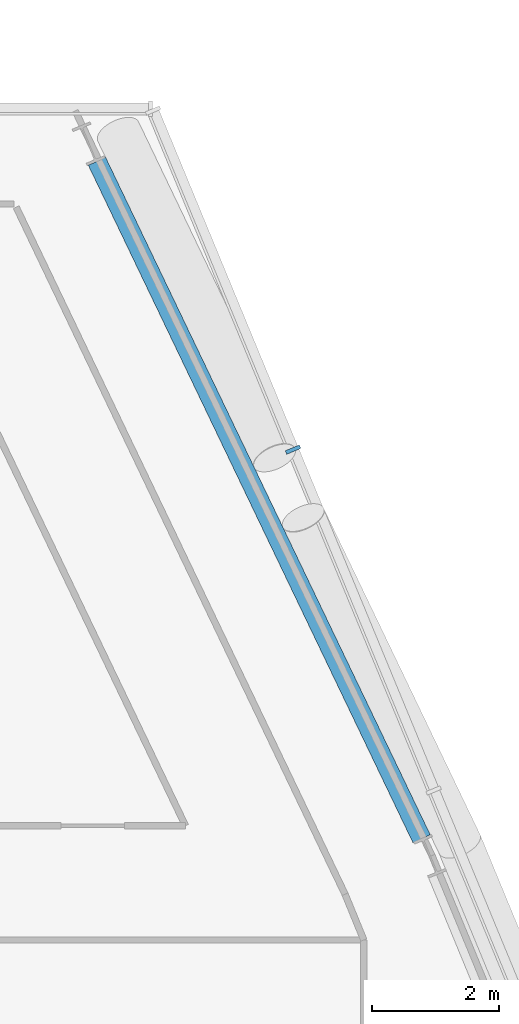
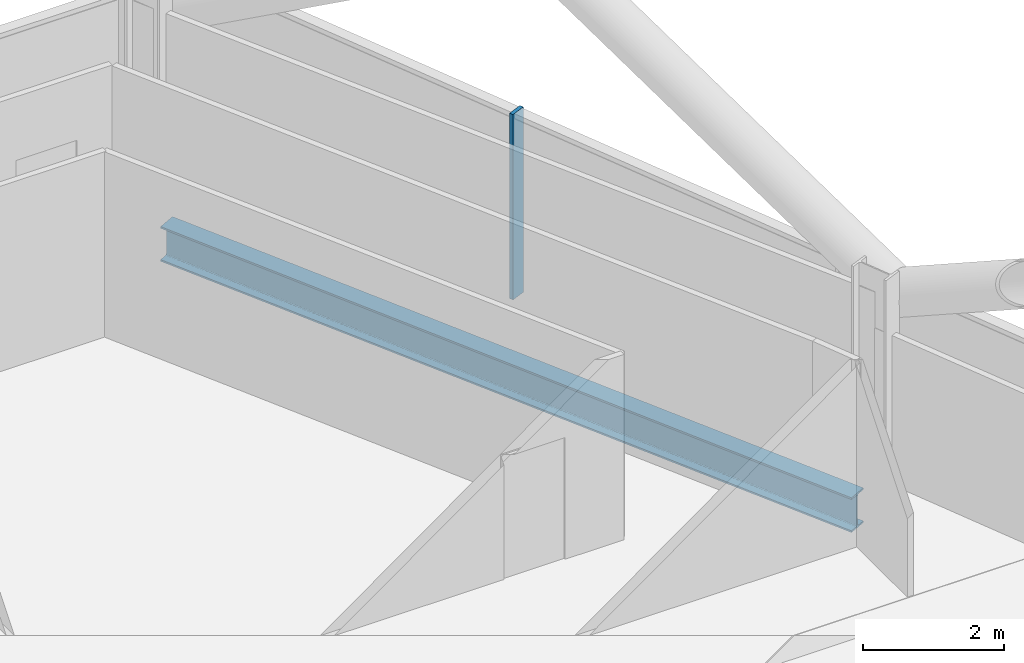
# One storey, part 12 of 27: 1 beam, 1 member, 1 element without a shape of its own.
"""IFC4 building model written with IfcOpenShell, lengths in metres."""

from ifc_helpers import new_model, si_unit, direction, frame, origin, origin_2d, place, context, subcontext, project, spatial, rectangle, i_section, extrude, material, material_profile, profile_set, type_object, element, aggregate, save


model = new_model("IFC4")

# Units and contexts
model_context = context("Model", 3, precision=1e-05, world=origin(), true_north=direction((0.0, 1.0)))
body_context = subcontext(model_context, "Body", "Model", "MODEL_VIEW")
ifc_project = project(units=[si_unit("LENGTHUNIT", "METRE"), si_unit("AREAUNIT", "SQUARE_METRE"), si_unit("VOLUMEUNIT", "CUBIC_METRE"), si_unit("PLANEANGLEUNIT", "RADIAN"), si_unit("MASSUNIT", "GRAM", prefix="KILO")], contexts=[model_context])

# Site, building, storey
site_placement = place(None, origin())
site = spatial("IfcSite", under=ifc_project, at=site_placement, CompositionType="ELEMENT")
building_placement = place(site_placement, origin())
building = spatial("IfcBuilding", under=site, at=building_placement, Name="Wharfspan Tower", CompositionType="ELEMENT")
storey_placement = place(building_placement, frame((0.0, 0.0, 191.5)))
storey = spatial("IfcBuildingStorey", under=building, at=storey_placement, Name="L47", CompositionType="ELEMENT", Elevation=191.5)

# Beam
ifc_material_1 = material(Name="Steel S355J2", Category="steel")
ifc_material_profile_1 = material_profile(ifc_material_1, i_section(OverallWidth=0.300049, OverallDepth=0.600098, WebThickness=0.015381, FlangeThickness=0.030029, FilletRadius=0.0271, at=origin_2d()))
ifc_profile_set_1 = profile_set([ifc_material_profile_1], Name="Steel S355J2")
beam_type = type_object("IfcBeamType", Name="Edge beam HEB 600", PredefinedType="SPANDREL", material=ifc_profile_set_1)
beam_placement = place(storey_placement, frame((73.721436, 30.495605, -0.699951), z_axis=(-0.432149, 0.901802, 0.0), x_axis=(-0.901802, -0.432149, 0.0)))
element("IfcBeam", 1, at=beam_placement, inside=storey, type_object=beam_type, Name="Edge beam L47 PE.2 to PE.3", PredefinedType="SPANDREL", context=body_context, shape_type="SweptSolid", body=[
    extrude(i_section(OverallWidth=0.300049, OverallDepth=0.600098, WebThickness=0.015381, FlangeThickness=0.030029, FilletRadius=0.0271, at=origin_2d()), origin(), (0.0, 0.0, 1.0), 11.841309),
])

# Curtain wall, member
ifc_material_2 = material(Name="Aluminium 6063-T6", Category="aluminium")
curtain_wall_type = type_object("IfcCurtainWallType", Name="CURTAIN WALL PROW AND END", PredefinedType="NOTDEFINED", material=ifc_material_2)
curtain_wall_placement = place(storey_placement, origin())
curtain_wall = element("IfcCurtainWall", 2, at=curtain_wall_placement, inside=storey, type_object=curtain_wall_type, Name="Curtain wall E", PredefinedType="NOTDEFINED")
ifc_material_profile_2 = material_profile(ifc_material_2, rectangle(XDim=0.23999, YDim=0.060059, at=origin_2d()))
ifc_profile_set_2 = profile_set([ifc_material_profile_2], Name="Aluminium 6063-T6")
member_type = type_object("IfcMemberType", Name="MULLION PROW AND END 60x240", PredefinedType="MULLION", material=ifc_profile_set_2)
member_placement = place(storey_placement, frame((71.69458, 36.628662, 0.0), z_axis=(0.0, 0.0, 1.0), x_axis=(-0.924325, -0.381602, 0.0)))
member = element("IfcMember", 3, at=member_placement, type_object=member_type, Name="Curtain wall E mullion 7", PredefinedType="MULLION", context=body_context, shape_type="SweptSolid", body=[
    extrude(rectangle(XDim=0.23999, YDim=0.060059, at=origin_2d()), origin(), (0.0, 0.0, 1.0), 3.199951),
])
aggregate(curtain_wall, [member])

save(model, "model.ifc")
